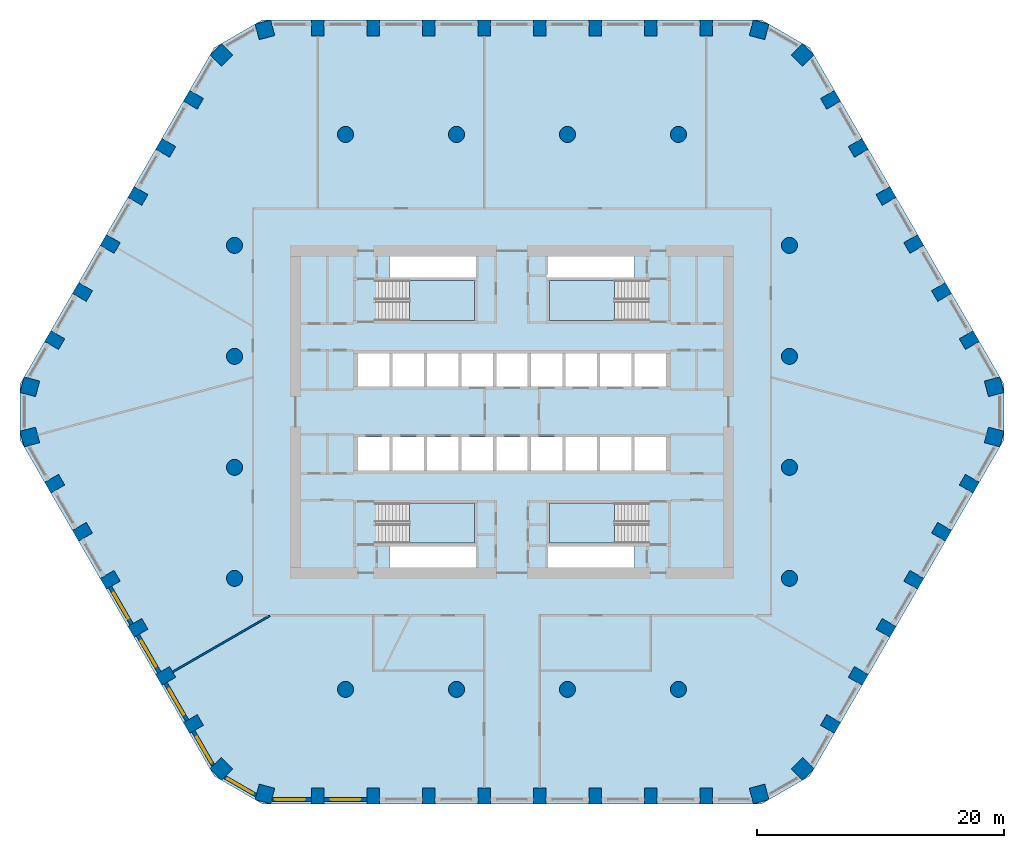
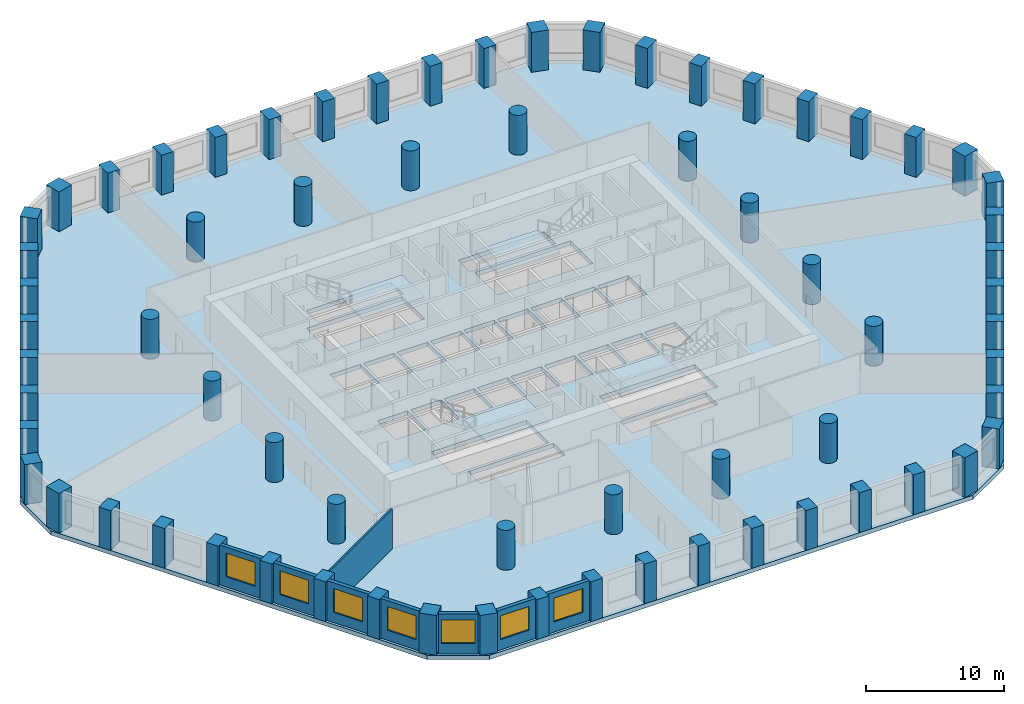
# One storey, part 1 of 9: 68 columns, 8 walls, 7 windows, 5 slabs, 7 openings, 4 elements without a shape of their own.
"""IFC4 building model written with IfcOpenShell, lengths in metres."""

from ifc_helpers import new_model, si_unit, direction, frame, frame_2d, origin, origin_2d, place, context, subcontext, project, spatial, polyline, rectangle, circle, outline, extrude, material, layer, layer_set, material_profile, profile_set, type_object, element, fill, aggregate, save


model = new_model("IFC4")

# Units and contexts
model_context = context("Model", 3, precision=1e-05, world=origin(), true_north=direction((0.0, 1.0)))
body_context = subcontext(model_context, "Body", "Model", "MODEL_VIEW")
ifc_project = project(units=[si_unit("LENGTHUNIT", "METRE"), si_unit("AREAUNIT", "SQUARE_METRE"), si_unit("VOLUMEUNIT", "CUBIC_METRE"), si_unit("PLANEANGLEUNIT", "RADIAN"), si_unit("MASSUNIT", "GRAM", prefix="KILO")], contexts=[model_context])

# Site, building, storey
site_placement = place(None, origin())
site = spatial("IfcSite", under=ifc_project, at=site_placement, CompositionType="ELEMENT")
building_placement = place(site_placement, origin())
building = spatial("IfcBuilding", under=site, at=building_placement, Name="Dhurran Vertical Campus", CompositionType="ELEMENT")
storey_placement = place(building_placement, frame((0.0, 0.0, 116.39990234375)))
storey = spatial("IfcBuildingStorey", under=building, at=storey_placement, Name="L28", CompositionType="ELEMENT", Elevation=116.39990234375)

# Columns
ifc_material_1 = material(Name="Concrete C60/75", Category="concrete")
ifc_material_profile_1 = material_profile(ifc_material_1, rectangle(XDim=1.0, YDim=1.300048828125, at=origin_2d()), Name="RC 1000x1300")
ifc_profile_set_1 = profile_set([ifc_material_profile_1], Name="Concrete C60/75")
column_type_1 = type_object("IfcColumnType", Name="FR COL RC 1000x1300 C60/75", PredefinedType="COLUMN", material=ifc_profile_set_1)
for number, where, z_axis, x_axis, name in (
    (1, (-15.75, -31.1298828125, 0.0), (0.0, 0.0, 1.0), (1.0, 0.0, 0.0), "Perimeter pier PP2.01"),
    (2, (-11.25, -31.1298828125, 0.0), (0.0, 0.0, 1.0), (1.0, 0.0, 0.0), "Perimeter pier PP2.02"),
    (3, (-6.75, -31.1298828125, 0.0), (0.0, 0.0, 1.0), (1.0, 0.0, 0.0), "Perimeter pier PP2.03"),
    (4, (-2.25, -31.1298828125, 0.0), (0.0, 0.0, 1.0), (1.0, 0.0, 0.0), "Perimeter pier PP2.04"),
    (5, (2.25, -31.1298828125, 0.0), (0.0, 0.0, 1.0), (1.0, 0.0, 0.0), "Perimeter pier PP2.05"),
    (6, (6.75, -31.1298828125, 0.0), (0.0, 0.0, 1.0), (1.0, 0.0, 0.0), "Perimeter pier PP2.06"),
    (7, (11.25, -31.1298828125, 0.0), (0.0, 0.0, 1.0), (1.0, 0.0, 0.0), "Perimeter pier PP2.07"),
    (8, (15.75, -31.1298828125, 0.0), (0.0, 0.0, 1.0), (1.0, 0.0, 0.0), "Perimeter pier PP2.08"),
    (9, (25.834228515625, -25.3076171875, 0.0), (0.0, 0.0, 1.0), (0.5, 0.866025403784, 0.0), "Perimeter pier PP2.11"),
    (10, (28.084228515625, -21.41064453125, 0.0), (0.0, 0.0, 1.0), (0.5, 0.866025403784, 0.0), "Perimeter pier PP2.12"),
    (11, (30.334228515625, -17.513427734375, 0.0), (0.0, 0.0, 1.0), (0.5, 0.866025403784, 0.0), "Perimeter pier PP2.13"),
    (12, (32.584228515625, -13.6162109375, 0.0), (0.0, 0.0, 1.0), (0.5, 0.866025403784, 0.0), "Perimeter pier PP2.14"),
    (13, (34.834228515625, -9.71923828125, 0.0), (0.0, 0.0, 1.0), (0.5, 0.866025403784, 0.0), "Perimeter pier PP2.15"),
    (14, (37.084228515625, -5.822021484375, 0.0), (0.0, 0.0, 1.0), (0.5, 0.866025403784, 0.0), "Perimeter pier PP2.16"),
    (15, (37.084228515625, 5.822021484375, 0.0), (0.0, 0.0, 1.0), (-0.5, 0.866025403784, 0.0), "Perimeter pier PP2.19"),
    (16, (34.834228515625, 9.71923828125, 0.0), (0.0, 0.0, 1.0), (-0.5, 0.866025403784, 0.0), "Perimeter pier PP2.20"),
    (17, (32.584228515625, 13.6162109375, 0.0), (0.0, 0.0, 1.0), (-0.5, 0.866025403784, 0.0), "Perimeter pier PP2.21"),
    (18, (30.334228515625, 17.513427734375, 0.0), (0.0, 0.0, 1.0), (-0.5, 0.866025403784, 0.0), "Perimeter pier PP2.22"),
    (19, (28.084228515625, 21.41064453125, 0.0), (0.0, 0.0, 1.0), (-0.5, 0.866025403784, 0.0), "Perimeter pier PP2.23"),
    (20, (25.834228515625, 25.3076171875, 0.0), (0.0, 0.0, 1.0), (-0.5, 0.866025403784, 0.0), "Perimeter pier PP2.24"),
    (21, (15.75, 31.1298828125, 0.0), (0.0, 0.0, 1.0), (-1.0, 0.0, 0.0), "Perimeter pier PP2.27"),
    (22, (11.25, 31.1298828125, 0.0), (0.0, 0.0, 1.0), (-1.0, 0.0, 0.0), "Perimeter pier PP2.28"),
    (23, (6.75, 31.1298828125, 0.0), (0.0, 0.0, 1.0), (-1.0, 0.0, 0.0), "Perimeter pier PP2.29"),
    (24, (2.25, 31.1298828125, 0.0), (0.0, 0.0, 1.0), (-1.0, 0.0, 0.0), "Perimeter pier PP2.30"),
    (25, (-2.25, 31.1298828125, 0.0), (0.0, 0.0, 1.0), (-1.0, 0.0, 0.0), "Perimeter pier PP2.31"),
    (26, (-6.75, 31.1298828125, 0.0), (0.0, 0.0, 1.0), (-1.0, 0.0, 0.0), "Perimeter pier PP2.32"),
    (27, (-11.25, 31.1298828125, 0.0), (0.0, 0.0, 1.0), (-1.0, 0.0, 0.0), "Perimeter pier PP2.33"),
    (28, (-15.75, 31.1298828125, 0.0), (0.0, 0.0, 1.0), (-1.0, 0.0, 0.0), "Perimeter pier PP2.34"),
    (29, (-25.834228515625, 25.3076171875, 0.0), (0.0, 0.0, 1.0), (-0.5, -0.866025403784, 0.0), "Perimeter pier PP2.37"),
    (30, (-28.084228515625, 21.41064453125, 0.0), (0.0, 0.0, 1.0), (-0.5, -0.866025403784, 0.0), "Perimeter pier PP2.38"),
    (31, (-30.334228515625, 17.513427734375, 0.0), (0.0, 0.0, 1.0), (-0.5, -0.866025403784, 0.0), "Perimeter pier PP2.39"),
    (32, (-32.584228515625, 13.6162109375, 0.0), (0.0, 0.0, 1.0), (-0.5, -0.866025403784, 0.0), "Perimeter pier PP2.40"),
    (33, (-34.834228515625, 9.71923828125, 0.0), (0.0, 0.0, 1.0), (-0.5, -0.866025403784, 0.0), "Perimeter pier PP2.41"),
    (34, (-37.084228515625, 5.822021484375, 0.0), (0.0, 0.0, 1.0), (-0.5, -0.866025403784, 0.0), "Perimeter pier PP2.42"),
    (35, (-37.084228515625, -5.822021484375, 0.0), (0.0, 0.0, 1.0), (0.5, -0.866025403784, 0.0), "Perimeter pier PP2.45"),
    (36, (-34.834228515625, -9.71923828125, 0.0), (0.0, 0.0, 1.0), (0.5, -0.866025403784, 0.0), "Perimeter pier PP2.46"),
    (37, (-32.584228515625, -13.6162109375, 0.0), (0.0, 0.0, 1.0), (0.5, -0.866025403784, 0.0), "Perimeter pier PP2.47"),
    (38, (-30.334228515625, -17.513427734375, 0.0), (0.0, 0.0, 1.0), (0.5, -0.866025403784, 0.0), "Perimeter pier PP2.48"),
    (39, (-28.084228515625, -21.41064453125, 0.0), (0.0, 0.0, 1.0), (0.5, -0.866025403784, 0.0), "Perimeter pier PP2.49"),
    (40, (-25.834228515625, -25.3076171875, 0.0), (0.0, 0.0, 1.0), (0.5, -0.866025403784, 0.0), "Perimeter pier PP2.50"),
):
    element("IfcColumn", number, at=place(storey_placement, frame(where, z_axis=z_axis, x_axis=x_axis)), inside=storey, type_object=column_type_1, Name=name, PredefinedType="COLUMN", context=body_context, shape_type="SweptSolid", body=[
        extrude(rectangle(XDim=1.0, YDim=1.300048828125, at=origin_2d()), origin(), (0.0, 0.0, 1.0), 3.525146484375),
    ])
ifc_material_2 = material(Name="Concrete C60/75", Category="concrete")
ifc_material_profile_2 = material_profile(ifc_material_2, rectangle(XDim=1.300048828125, YDim=1.300048828125, at=origin_2d()), Name="RC 1300x1300")
ifc_profile_set_2 = profile_set([ifc_material_profile_2], Name="Concrete C60/75")
column_type_2 = type_object("IfcColumnType", Name="FR COL RC 1300x1300 C60/75", PredefinedType="COLUMN", material=ifc_profile_set_2)
for number, where, z_axis, x_axis, name in (
    (41, (-20.03662109375, -30.983642578125, 0.0), (0.0, 0.0, 1.0), (0.965925826289, -0.258819045103, 0.0), "Perimeter pier PP2.00"),
    (42, (20.03662109375, -30.983642578125, 0.0), (0.0, 0.0, 1.0), (0.965925826289, 0.258819045103, 0.0), "Perimeter pier PP2.09"),
    (43, (23.564208984375, -28.947021484375, 0.0), (0.0, 0.0, 1.0), (0.707106781187, 0.707106781187, 0.0), "Perimeter pier PP2.10"),
    (44, (39.10107421875, -2.03662109375, 0.0), (0.0, 0.0, 1.0), (0.258819045103, 0.965925826289, 0.0), "Perimeter pier PP2.17"),
    (45, (39.10107421875, 2.03662109375, 0.0), (0.0, 0.0, 1.0), (-0.258819045103, 0.965925826289, 0.0), "Perimeter pier PP2.18"),
    (46, (23.564208984375, 28.947021484375, 0.0), (0.0, 0.0, 1.0), (-0.707106781187, 0.707106781187, 0.0), "Perimeter pier PP2.25"),
    (47, (20.03662109375, 30.983642578125, 0.0), (0.0, 0.0, 1.0), (-0.965925826289, 0.258819045103, 0.0), "Perimeter pier PP2.26"),
    (48, (-20.03662109375, 30.983642578125, 0.0), (0.0, 0.0, 1.0), (-0.965925826289, -0.258819045103, 0.0), "Perimeter pier PP2.35"),
    (49, (-23.564208984375, 28.947021484375, 0.0), (0.0, 0.0, 1.0), (-0.707106781187, -0.707106781187, 0.0), "Perimeter pier PP2.36"),
    (50, (-39.10107421875, 2.03662109375, 0.0), (0.0, 0.0, 1.0), (-0.258819045103, -0.965925826289, 0.0), "Perimeter pier PP2.43"),
    (51, (-39.10107421875, -2.03662109375, 0.0), (0.0, 0.0, 1.0), (0.258819045103, -0.965925826289, 0.0), "Perimeter pier PP2.44"),
    (52, (-23.564208984375, -28.947021484375, 0.0), (0.0, 0.0, 1.0), (0.707106781187, -0.707106781187, 0.0), "Perimeter pier PP2.51"),
):
    element("IfcColumn", number, at=place(storey_placement, frame(where, z_axis=z_axis, x_axis=x_axis)), inside=storey, type_object=column_type_2, Name=name, PredefinedType="COLUMN", context=body_context, shape_type="SweptSolid", body=[
        extrude(rectangle(XDim=1.300048828125, YDim=1.300048828125, at=origin_2d()), origin(), (0.0, 0.0, 1.0), 3.525146484375),
    ])
ifc_material_3 = material(Name="Concrete C60/75", Category="concrete")
ifc_material_profile_3 = material_profile(ifc_material_3, circle(Radius=0.64990234375, at=origin_2d()), Name="RCC D1300")
ifc_profile_set_3 = profile_set([ifc_material_profile_3], Name="Concrete C60/75")
column_type_3 = type_object("IfcColumnType", Name="FR COL RCC D1300 C60/75", PredefinedType="COLUMN", material=ifc_profile_set_3)
for number, where, z_axis, x_axis, name in (
    (53, (-22.5, -13.5, 0.0), (0.0, 0.0, 1.0), (1.0, 0.0, 0.0), "Inner column IC2-D4"),
    (54, (-22.5, -4.5, 0.0), (0.0, 0.0, 1.0), (1.0, 0.0, 0.0), "Inner column IC2-D5"),
    (55, (-22.5, 4.5, 0.0), (0.0, 0.0, 1.0), (1.0, 0.0, 0.0), "Inner column IC2-D6"),
    (56, (-22.5, 13.5, 0.0), (0.0, 0.0, 1.0), (1.0, 0.0, 0.0), "Inner column IC2-D7"),
    (57, (-13.5, -22.5, 0.0), (0.0, 0.0, 1.0), (1.0, 0.0, 0.0), "Inner column IC2-E3"),
    (58, (-13.5, 22.5, 0.0), (0.0, 0.0, 1.0), (1.0, 0.0, 0.0), "Inner column IC2-E8"),
    (59, (-4.5, -22.5, 0.0), (0.0, 0.0, 1.0), (1.0, 0.0, 0.0), "Inner column IC2-F3"),
    (60, (-4.5, 22.5, 0.0), (0.0, 0.0, 1.0), (1.0, 0.0, 0.0), "Inner column IC2-F8"),
    (61, (4.5, -22.5, 0.0), (0.0, 0.0, 1.0), (1.0, 0.0, 0.0), "Inner column IC2-G3"),
    (62, (4.5, 22.5, 0.0), (0.0, 0.0, 1.0), (1.0, 0.0, 0.0), "Inner column IC2-G8"),
    (63, (13.5, -22.5, 0.0), (0.0, 0.0, 1.0), (1.0, 0.0, 0.0), "Inner column IC2-H3"),
    (64, (13.5, 22.5, 0.0), (0.0, 0.0, 1.0), (1.0, 0.0, 0.0), "Inner column IC2-H8"),
    (65, (22.5, -13.5, 0.0), (0.0, 0.0, 1.0), (1.0, 0.0, 0.0), "Inner column IC2-J4"),
    (66, (22.5, -4.5, 0.0), (0.0, 0.0, 1.0), (1.0, 0.0, 0.0), "Inner column IC2-J5"),
    (67, (22.5, 4.5, 0.0), (0.0, 0.0, 1.0), (1.0, 0.0, 0.0), "Inner column IC2-J6"),
    (68, (22.5, 13.5, 0.0), (0.0, 0.0, 1.0), (1.0, 0.0, 0.0), "Inner column IC2-J7"),
):
    element("IfcColumn", number, at=place(storey_placement, frame(where, z_axis=z_axis, x_axis=x_axis)), inside=storey, type_object=column_type_3, Name=name, PredefinedType="COLUMN", context=body_context, shape_type="SweptSolid", body=[
        extrude(circle(Radius=0.64990234375, at=origin_2d()), origin(), (0.0, 0.0, 1.0), 3.525146484375),
    ])

# Slab
ifc_material_4 = material(Name="Concrete C40/50", Category="concrete")
ifc_layer_1 = layer(ifc_material_4, 0.375)
ifc_layer_set_1 = layer_set([ifc_layer_1], Name="Concrete C40/50")
slab_type_1 = type_object("IfcSlabType", Name="FR POST-TENSIONED FLAT SLAB 375", PredefinedType="FLOOR", material=ifc_layer_set_1)
slab_1_placement = place(storey_placement, frame((0.0, 0.0, -0.375)))
element("IfcSlab", 69, at=slab_1_placement, inside=storey, type_object=slab_type_1, Name="Floor slab L28", PredefinedType="FLOOR", context=body_context, shape_type="SweptSolid", body=[
    extrude(outline(polyline([(-20.25, -31.77978515625), (20.25, -31.77978515625), (24.147216796875, -29.52978515625), (39.897216796875, -2.25), (39.897216796875, 2.25), (24.147216796875, 29.52978515625), (20.25, 31.77978515625), (-20.25, 31.77978515625), (-24.147216796875, 29.52978515625), (-39.897216796875, 2.25), (-39.897216796875, -2.25), (-24.147216796875, -29.52978515625), (-20.25, -31.77978515625)]), holes=[polyline([(-12.47509765625, 2.050048828125), (-9.925048828125, 2.050048828125), (-9.925048828125, 4.75), (-12.47509765625, 4.75), (-12.47509765625, 2.050048828125)]), polyline([(-9.675048828125, 2.050048828125), (-7.125, 2.050048828125), (-7.125, 4.75), (-9.675048828125, 4.75), (-9.675048828125, 2.050048828125)]), polyline([(-6.875, 2.050048828125), (-4.324951171875, 2.050048828125), (-4.324951171875, 4.75), (-6.875, 4.75), (-6.875, 2.050048828125)]), polyline([(-1.27490234375, 2.050048828125), (1.27490234375, 2.050048828125), (1.27490234375, 4.75), (-1.27490234375, 4.75), (-1.27490234375, 2.050048828125)]), polyline([(9.925048828125, 2.050048828125), (12.47509765625, 2.050048828125), (12.47509765625, 4.75), (9.925048828125, 4.75), (9.925048828125, 2.050048828125)]), polyline([(-1.27490234375, -4.75), (1.27490234375, -4.75), (1.27490234375, -2.050048828125), (-1.27490234375, -2.050048828125), (-1.27490234375, -4.75)]), polyline([(1.52490234375, -4.75), (4.074951171875, -4.75), (4.074951171875, -2.050048828125), (1.52490234375, -2.050048828125), (1.52490234375, -4.75)]), polyline([(4.324951171875, -4.75), (6.875, -4.75), (6.875, -2.050048828125), (4.324951171875, -2.050048828125), (4.324951171875, -4.75)]), polyline([(7.125, -4.75), (9.675048828125, -4.75), (9.675048828125, -2.050048828125), (7.125, -2.050048828125), (7.125, -4.75)]), polyline([(9.925048828125, -4.75), (12.47509765625, -4.75), (12.47509765625, -2.050048828125), (9.925048828125, -2.050048828125), (9.925048828125, -4.75)]), polyline([(-4.074951171875, 2.050048828125), (-1.52490234375, 2.050048828125), (-1.52490234375, 4.75), (-4.074951171875, 4.75), (-4.074951171875, 2.050048828125)]), polyline([(1.52490234375, 2.050048828125), (4.074951171875, 2.050048828125), (4.074951171875, 4.75), (1.52490234375, 4.75), (1.52490234375, 2.050048828125)]), polyline([(4.324951171875, 2.050048828125), (6.875, 2.050048828125), (6.875, 4.75), (4.324951171875, 4.75), (4.324951171875, 2.050048828125)]), polyline([(7.125, 2.050048828125), (9.675048828125, 2.050048828125), (9.675048828125, 4.75), (7.125, 4.75), (7.125, 2.050048828125)]), polyline([(-12.47509765625, -4.75), (-9.925048828125, -4.75), (-9.925048828125, -2.050048828125), (-12.47509765625, -2.050048828125), (-12.47509765625, -4.75)]), polyline([(-9.675048828125, -4.75), (-7.125, -4.75), (-7.125, -2.050048828125), (-9.675048828125, -2.050048828125), (-9.675048828125, -4.75)]), polyline([(-6.875, -4.75), (-4.324951171875, -4.75), (-4.324951171875, -2.050048828125), (-6.875, -2.050048828125), (-6.875, -4.75)]), polyline([(-4.074951171875, -4.75), (-1.52490234375, -4.75), (-1.52490234375, -2.050048828125), (-4.074951171875, -2.050048828125), (-4.074951171875, -4.75)]), polyline([(-11.050048828125, 7.39990234375), (-3.050048828125, 7.39990234375), (-3.050048828125, 10.64990234375), (-11.050048828125, 10.64990234375), (-11.050048828125, 7.39990234375)]), polyline([(3.050048828125, 7.39990234375), (11.050048828125, 7.39990234375), (11.050048828125, 10.64990234375), (3.050048828125, 10.64990234375), (3.050048828125, 7.39990234375)]), polyline([(-11.050048828125, -10.64990234375), (-3.050048828125, -10.64990234375), (-3.050048828125, -7.39990234375), (-11.050048828125, -7.39990234375), (-11.050048828125, -10.64990234375)]), polyline([(3.050048828125, -10.64990234375), (11.050048828125, -10.64990234375), (11.050048828125, -7.39990234375), (3.050048828125, -7.39990234375), (3.050048828125, -10.64990234375)]), polyline([(-9.949951171875, 10.89990234375), (-9.949951171875, 12.60009765625), (-2.800048828125, 12.60009765625), (-2.800048828125, 10.89990234375), (-9.949951171875, 10.89990234375)]), polyline([(9.949951171875, 12.60009765625), (9.949951171875, 10.89990234375), (2.800048828125, 10.89990234375), (2.800048828125, 12.60009765625), (9.949951171875, 12.60009765625)]), polyline([(-9.949951171875, -12.60009765625), (-9.949951171875, -10.89990234375), (-2.800048828125, -10.89990234375), (-2.800048828125, -12.60009765625), (-9.949951171875, -12.60009765625)]), polyline([(9.949951171875, -10.89990234375), (9.949951171875, -12.60009765625), (2.800048828125, -12.60009765625), (2.800048828125, -10.89990234375), (9.949951171875, -10.89990234375)])]), origin(), (0.0, 0.0, 1.0), 0.375),
])

# Stair, slab
ifc_material_5 = material(Name="Concrete C40/50", Category="concrete")
stair_type = type_object("IfcStairType", Name="co-ST-CORE", PredefinedType="HALF_TURN_STAIR", material=ifc_material_5)
stair_1_placement = place(storey_placement, origin())
stair_1 = element("IfcStair", 70, at=stair_1_placement, inside=storey, type_object=stair_type, Name="L28 Protected exit stair ST1", PredefinedType="HALF_TURN_STAIR")
ifc_material_6 = material(Name="Concrete C40/50", Category="concrete")
ifc_layer_2 = layer(ifc_material_6, 0.199951171875)
ifc_layer_set_2 = layer_set([ifc_layer_2], Name="Concrete C40/50")
slab_type_2 = type_object("IfcSlabType", Name="co-SL-LANDING", PredefinedType="LANDING", material=ifc_layer_set_2)
slab_2_placement = place(storey_placement, frame((0.0, 0.0, 1.75)))
slab_2 = element("IfcSlab", 71, at=slab_2_placement, type_object=slab_type_2, Name="ST1 landing 1", PredefinedType="LANDING", context=body_context, shape_type="SweptSolid", body=[
    extrude(outline(polyline([(-8.300048828125, 7.39990234375), (-3.050048828125, 7.39990234375), (-3.050048828125, 10.64990234375), (-8.300048828125, 10.64990234375), (-8.300048828125, 7.39990234375)])), origin(), (0.0, 0.0, 1.0), 0.2001953125),
])
aggregate(stair_1, [slab_2])

stair_2_placement = place(storey_placement, origin())
stair_2 = element("IfcStair", 72, at=stair_2_placement, inside=storey, type_object=stair_type, Name="L28 Protected exit stair ST2", PredefinedType="HALF_TURN_STAIR")
slab_3_placement = place(storey_placement, frame((0.0, 0.0, 1.75)))
slab_3 = element("IfcSlab", 73, at=slab_3_placement, type_object=slab_type_2, Name="ST2 landing 1", PredefinedType="LANDING", context=body_context, shape_type="SweptSolid", body=[
    extrude(outline(polyline([(8.300048828125, 10.64990234375), (3.050048828125, 10.64990234375), (3.050048828125, 7.39990234375), (8.300048828125, 7.39990234375), (8.300048828125, 10.64990234375)])), origin(), (0.0, 0.0, 1.0), 0.2001953125),
])
aggregate(stair_2, [slab_3])

stair_3_placement = place(storey_placement, origin())
stair_3 = element("IfcStair", 74, at=stair_3_placement, inside=storey, type_object=stair_type, Name="L28 Protected exit stair ST3", PredefinedType="HALF_TURN_STAIR")
slab_4_placement = place(storey_placement, frame((0.0, 0.0, 1.75)))
slab_4 = element("IfcSlab", 75, at=slab_4_placement, type_object=slab_type_2, Name="ST3 landing 1", PredefinedType="LANDING", context=body_context, shape_type="SweptSolid", body=[
    extrude(outline(polyline([(-8.300048828125, -10.64990234375), (-3.050048828125, -10.64990234375), (-3.050048828125, -7.39990234375), (-8.300048828125, -7.39990234375), (-8.300048828125, -10.64990234375)])), origin(), (0.0, 0.0, 1.0), 0.2001953125),
])
aggregate(stair_3, [slab_4])

stair_4_placement = place(storey_placement, origin())
stair_4 = element("IfcStair", 76, at=stair_4_placement, inside=storey, type_object=stair_type, Name="L28 Protected exit stair ST4", PredefinedType="HALF_TURN_STAIR")
slab_5_placement = place(storey_placement, frame((0.0, 0.0, 1.75)))
slab_5 = element("IfcSlab", 77, at=slab_5_placement, type_object=slab_type_2, Name="ST4 landing 1", PredefinedType="LANDING", context=body_context, shape_type="SweptSolid", body=[
    extrude(outline(polyline([(8.300048828125, -7.39990234375), (3.050048828125, -7.39990234375), (3.050048828125, -10.64990234375), (8.300048828125, -10.64990234375), (8.300048828125, -7.39990234375)])), origin(), (0.0, 0.0, 1.0), 0.2001953125),
])
aggregate(stair_4, [slab_5])

# Wall, opening, window
ifc_material_7 = material(Name="Precast concrete C50/60", Category="concrete")
ifc_layer_3 = layer(ifc_material_7, 0.300048828125)
ifc_layer_set_3 = layer_set([ifc_layer_3], Name="Precast concrete C50/60")
wall_type_1 = type_object("IfcWallType", Name="Precast spandrel wall 300", PredefinedType="SOLIDWALL", material=ifc_layer_set_3)
wall_1_placement = place(storey_placement, frame((-19.44287109375, -31.4296875, 0.0), z_axis=(0.0, 0.0, 1.0), x_axis=(1.0, 0.0, 0.0)))
wall_1 = element("IfcWall", 78, at=wall_1_placement, inside=storey, type_object=wall_type_1, Name="EW1 L28.00", PredefinedType="SOLIDWALL", context=body_context, shape_type="SweptSolid", body=[
    extrude(rectangle(XDim=3.1923828125, YDim=0.300048828125, at=frame_2d((1.59619140625, 0.0))), origin(), (0.0, 0.0, 1.0), 3.525146484375),
])
opening_1_placement = place(wall_1_placement, frame((0.242919921875, 0.0, 0.89990234375)))
opening_1 = element("IfcOpeningElement", 79, at=opening_1_placement, cuts=wall_1, Name="Opening WT1", PredefinedType="OPENING", context=body_context, shape_type="SweptSolid", body=[
    extrude(rectangle(XDim=2.39990234375, YDim=2.10009765625, at=frame_2d((1.199951171875, 1.050048828125))), frame((0.0, 0.159912109375, 0.0), z_axis=(0.0, -1.0, 0.0), x_axis=(1.0, 0.0, 0.0)), (0.0, 0.0, 1.0), 0.320068359375),
])
ifc_material_8 = material(Name="Aluminium frame with solar-control glass", Category="aluminium")
window_type = type_object("IfcWindowType", Name="Punched window 2400 x 2100", PartitioningType="SINGLE_PANEL", PredefinedType="WINDOW", material=ifc_material_8)
window_1_placement = place(opening_1_placement, origin())
window_1 = element("IfcWindow", 80, at=window_1_placement, inside=storey, type_object=window_type, Name="WT1 L28.00", OverallHeight=2.10009765625, OverallWidth=2.39990234375, PartitioningType="SINGLE_PANEL", PredefinedType="WINDOW", context=body_context, shape_type="SweptSolid", body=[
    extrude(rectangle(XDim=2.39990234375, YDim=2.10009765625, at=frame_2d((1.199951171875, 1.050048828125))), frame((0.0, 0.030029296875, 0.0), z_axis=(0.0, -1.0, 0.0), x_axis=(1.0, 0.0, 0.0)), (0.0, 0.0, 1.0), 0.06005859375),
])
fill(opening_1, window_1)

wall_2_placement = place(storey_placement, frame((-15.24951171875, -31.4296875, 0.0), z_axis=(0.0, 0.0, 1.0), x_axis=(1.0, 0.0, 0.0)))
wall_2 = element("IfcWall", 81, at=wall_2_placement, inside=storey, type_object=wall_type_1, Name="EW1 L28.01", PredefinedType="SOLIDWALL", context=body_context, shape_type="SweptSolid", body=[
    extrude(rectangle(XDim=3.4990234375, YDim=0.300048828125, at=frame_2d((1.74951171875, 0.0))), origin(), (0.0, 0.0, 1.0), 3.525146484375),
])
opening_2_placement = place(wall_2_placement, frame((0.549560546875, 0.0, 0.89990234375)))
opening_2 = element("IfcOpeningElement", 82, at=opening_2_placement, cuts=wall_2, Name="Opening WT1", PredefinedType="OPENING", context=body_context, shape_type="SweptSolid", body=[
    extrude(rectangle(XDim=2.39990234375, YDim=2.10009765625, at=frame_2d((1.199951171875, 1.050048828125))), frame((0.0, 0.159912109375, 0.0), z_axis=(0.0, -1.0, 0.0), x_axis=(1.0, 0.0, 0.0)), (0.0, 0.0, 1.0), 0.320068359375),
])
window_2_placement = place(opening_2_placement, origin())
window_2 = element("IfcWindow", 83, at=window_2_placement, inside=storey, type_object=window_type, Name="WT1 L28.01", OverallHeight=2.10009765625, OverallWidth=2.39990234375, PartitioningType="SINGLE_PANEL", PredefinedType="WINDOW", context=body_context, shape_type="SweptSolid", body=[
    extrude(rectangle(XDim=2.39990234375, YDim=2.10009765625, at=frame_2d((1.199951171875, 1.050048828125))), frame((0.0, 0.030029296875, 0.0), z_axis=(0.0, -1.0, 0.0), x_axis=(1.0, 0.0, 0.0)), (0.0, 0.0, 1.0), 0.06005859375),
])
fill(opening_2, window_2)

wall_3_placement = place(storey_placement, frame((-32.59375, -14.19970703125, 0.0), z_axis=(0.0, 0.0, 1.0), x_axis=(0.499996256241, -0.866027565234, 0.0)))
wall_3 = element("IfcWall", 84, at=wall_3_placement, inside=storey, type_object=wall_type_1, Name="EW1 L28.47", PredefinedType="SOLIDWALL", context=body_context, shape_type="SweptSolid", body=[
    extrude(rectangle(XDim=3.4990234375, YDim=0.300048828125, at=frame_2d((1.74951171875, 0.0))), origin(), (0.0, 0.0, 1.0), 3.525146484375),
])
opening_3_placement = place(wall_3_placement, frame((0.549560546875, 0.0, 0.89990234375)))
opening_3 = element("IfcOpeningElement", 85, at=opening_3_placement, cuts=wall_3, Name="Opening WT1", PredefinedType="OPENING", context=body_context, shape_type="SweptSolid", body=[
    extrude(rectangle(XDim=2.39990234375, YDim=2.10009765625, at=frame_2d((1.199951171875, 1.050048828125))), frame((0.0, 0.159912109375, 0.0), z_axis=(0.0, -1.0, 0.0), x_axis=(1.0, 0.0, 0.0)), (0.0, 0.0, 1.0), 0.320068359375),
])
window_3_placement = place(opening_3_placement, origin())
window_3 = element("IfcWindow", 86, at=window_3_placement, inside=storey, type_object=window_type, Name="WT1 L28.47", OverallHeight=2.10009765625, OverallWidth=2.39990234375, PartitioningType="SINGLE_PANEL", PredefinedType="WINDOW", context=body_context, shape_type="SweptSolid", body=[
    extrude(rectangle(XDim=2.39990234375, YDim=2.10009765625, at=frame_2d((1.199951171875, 1.050048828125))), frame((0.0, 0.030029296875, 0.0), z_axis=(0.0, -1.0, 0.0), x_axis=(1.0, 0.0, 0.0)), (0.0, 0.0, 1.0), 0.06005859375),
])
fill(opening_3, window_3)

wall_4_placement = place(storey_placement, frame((-30.34375, -18.096923828125, 0.0), z_axis=(0.0, 0.0, 1.0), x_axis=(0.499996256241, -0.866027565234, 0.0)))
wall_4 = element("IfcWall", 87, at=wall_4_placement, inside=storey, type_object=wall_type_1, Name="EW1 L28.48", PredefinedType="SOLIDWALL", context=body_context, shape_type="SweptSolid", body=[
    extrude(rectangle(XDim=3.4990234375, YDim=0.300048828125, at=frame_2d((1.74951171875, 0.0))), origin(), (0.0, 0.0, 1.0), 3.525146484375),
])
opening_4_placement = place(wall_4_placement, frame((0.549560546875, 0.0, 0.89990234375)))
opening_4 = element("IfcOpeningElement", 88, at=opening_4_placement, cuts=wall_4, Name="Opening WT1", PredefinedType="OPENING", context=body_context, shape_type="SweptSolid", body=[
    extrude(rectangle(XDim=2.39990234375, YDim=2.10009765625, at=frame_2d((1.199951171875, 1.050048828125))), frame((0.0, 0.159912109375, 0.0), z_axis=(0.0, -1.0, 0.0), x_axis=(1.0, 0.0, 0.0)), (0.0, 0.0, 1.0), 0.320068359375),
])
window_4_placement = place(opening_4_placement, origin())
window_4 = element("IfcWindow", 89, at=window_4_placement, inside=storey, type_object=window_type, Name="WT1 L28.48", OverallHeight=2.10009765625, OverallWidth=2.39990234375, PartitioningType="SINGLE_PANEL", PredefinedType="WINDOW", context=body_context, shape_type="SweptSolid", body=[
    extrude(rectangle(XDim=2.39990234375, YDim=2.10009765625, at=frame_2d((1.199951171875, 1.050048828125))), frame((0.0, 0.030029296875, 0.0), z_axis=(0.0, -1.0, 0.0), x_axis=(1.0, 0.0, 0.0)), (0.0, 0.0, 1.0), 0.06005859375),
])
fill(opening_4, window_4)

wall_5_placement = place(storey_placement, frame((-28.09375, -21.993896484375, 0.0), z_axis=(0.0, 0.0, 1.0), x_axis=(0.499996256241, -0.866027565234, 0.0)))
wall_5 = element("IfcWall", 90, at=wall_5_placement, inside=storey, type_object=wall_type_1, Name="EW1 L28.49", PredefinedType="SOLIDWALL", context=body_context, shape_type="SweptSolid", body=[
    extrude(rectangle(XDim=3.4990234375, YDim=0.300048828125, at=frame_2d((1.74951171875, 0.0))), origin(), (0.0, 0.0, 1.0), 3.525146484375),
])
opening_5_placement = place(wall_5_placement, frame((0.549560546875, 0.0, 0.89990234375)))
opening_5 = element("IfcOpeningElement", 91, at=opening_5_placement, cuts=wall_5, Name="Opening WT1", PredefinedType="OPENING", context=body_context, shape_type="SweptSolid", body=[
    extrude(rectangle(XDim=2.39990234375, YDim=2.10009765625, at=frame_2d((1.199951171875, 1.050048828125))), frame((0.0, 0.159912109375, 0.0), z_axis=(0.0, -1.0, 0.0), x_axis=(1.0, 0.0, 0.0)), (0.0, 0.0, 1.0), 0.320068359375),
])
window_5_placement = place(opening_5_placement, origin())
window_5 = element("IfcWindow", 92, at=window_5_placement, inside=storey, type_object=window_type, Name="WT1 L28.49", OverallHeight=2.10009765625, OverallWidth=2.39990234375, PartitioningType="SINGLE_PANEL", PredefinedType="WINDOW", context=body_context, shape_type="SweptSolid", body=[
    extrude(rectangle(XDim=2.39990234375, YDim=2.10009765625, at=frame_2d((1.199951171875, 1.050048828125))), frame((0.0, 0.030029296875, 0.0), z_axis=(0.0, -1.0, 0.0), x_axis=(1.0, 0.0, 0.0)), (0.0, 0.0, 1.0), 0.06005859375),
])
fill(opening_5, window_5)

wall_6_placement = place(storey_placement, frame((-25.84375, -25.89111328125, 0.0), z_axis=(0.0, 0.0, 1.0), x_axis=(0.500004907028, -0.866022570692, 0.0)))
wall_6 = element("IfcWall", 93, at=wall_6_placement, inside=storey, type_object=wall_type_1, Name="EW1 L28.50", PredefinedType="SOLIDWALL", context=body_context, shape_type="SweptSolid", body=[
    extrude(rectangle(XDim=3.1923828125, YDim=0.300048828125, at=frame_2d((1.59619140625, 0.0))), origin(), (0.0, 0.0, 1.0), 3.525146484375),
])
opening_6_placement = place(wall_6_placement, frame((0.549560546875, 0.0, 0.89990234375)))
opening_6 = element("IfcOpeningElement", 94, at=opening_6_placement, cuts=wall_6, Name="Opening WT1", PredefinedType="OPENING", context=body_context, shape_type="SweptSolid", body=[
    extrude(rectangle(XDim=2.39990234375, YDim=2.10009765625, at=frame_2d((1.199951171875, 1.050048828125))), frame((0.0, 0.159912109375, 0.0), z_axis=(0.0, -1.0, 0.0), x_axis=(1.0, 0.0, 0.0)), (0.0, 0.0, 1.0), 0.320068359375),
])
window_6_placement = place(opening_6_placement, origin())
window_6 = element("IfcWindow", 95, at=window_6_placement, inside=storey, type_object=window_type, Name="WT1 L28.50", OverallHeight=2.10009765625, OverallWidth=2.39990234375, PartitioningType="SINGLE_PANEL", PredefinedType="WINDOW", context=body_context, shape_type="SweptSolid", body=[
    extrude(rectangle(XDim=2.39990234375, YDim=2.10009765625, at=frame_2d((1.199951171875, 1.050048828125))), frame((0.0, 0.030029296875, 0.0), z_axis=(0.0, -1.0, 0.0), x_axis=(1.0, 0.0, 0.0)), (0.0, 0.0, 1.0), 0.06005859375),
])
fill(opening_6, window_6)

wall_7_placement = place(storey_placement, frame((-23.273193359375, -29.63037109375, 0.0), z_axis=(0.0, 0.0, 1.0), x_axis=(0.866053149362, -0.49995194017, 0.0)))
wall_7 = element("IfcWall", 96, at=wall_7_placement, inside=storey, type_object=wall_type_1, Name="EW1 L28.51", PredefinedType="SOLIDWALL", context=body_context, shape_type="SweptSolid", body=[
    extrude(rectangle(XDim=2.885498046875, YDim=0.300048828125, at=frame_2d((1.44287109375, 0.0))), origin(), (0.0, 0.0, 1.0), 3.525146484375),
])
opening_7_placement = place(wall_7_placement, frame((0.242919921875, 0.0, 0.89990234375)))
opening_7 = element("IfcOpeningElement", 97, at=opening_7_placement, cuts=wall_7, Name="Opening WT1", PredefinedType="OPENING", context=body_context, shape_type="SweptSolid", body=[
    extrude(rectangle(XDim=2.39990234375, YDim=2.10009765625, at=frame_2d((1.199951171875, 1.050048828125))), frame((0.0, 0.159912109375, 0.0), z_axis=(0.0, -1.0, 0.0), x_axis=(1.0, 0.0, 0.0)), (0.0, 0.0, 1.0), 0.320068359375),
])
window_7_placement = place(opening_7_placement, origin())
window_7 = element("IfcWindow", 98, at=window_7_placement, inside=storey, type_object=window_type, Name="WT1 L28.51", OverallHeight=2.10009765625, OverallWidth=2.39990234375, PartitioningType="SINGLE_PANEL", PredefinedType="WINDOW", context=body_context, shape_type="SweptSolid", body=[
    extrude(rectangle(XDim=2.39990234375, YDim=2.10009765625, at=frame_2d((1.199951171875, 1.050048828125))), frame((0.0, 0.030029296875, 0.0), z_axis=(0.0, -1.0, 0.0), x_axis=(1.0, 0.0, 0.0)), (0.0, 0.0, 1.0), 0.06005859375),
])
fill(opening_7, window_7)

# Wall
ifc_material_9 = material(Name="Gypsum board partition on steel studs", Category="steel")
ifc_layer_4 = layer(ifc_material_9, 0.14990234375)
ifc_layer_set_4 = layer_set([ifc_layer_4], Name="Gypsum board partition on steel studs")
wall_type_2 = type_object("IfcWallType", Name="fl-PW-150 fixed partition", PredefinedType="PARTITIONING", material=ifc_layer_set_4)
wall_8_placement = place(storey_placement, frame((-19.643798828125, -16.53759765625, 0.0), z_axis=(0.0, 0.0, 1.0), x_axis=(-0.866004606565, -0.500036020111, 0.0)))
element("IfcWall", 99, at=wall_8_placement, inside=storey, type_object=wall_type_2, Name="Partition 28-03", PredefinedType="PARTITIONING", context=body_context, shape_type="SweptSolid", body=[
    extrude(rectangle(XDim=9.075927734375, YDim=0.14990234375, at=frame_2d((4.5380859375, 0.0))), origin(), (0.0, 0.0, 1.0), 3.525146484375),
])

save(model, "model.ifc")
